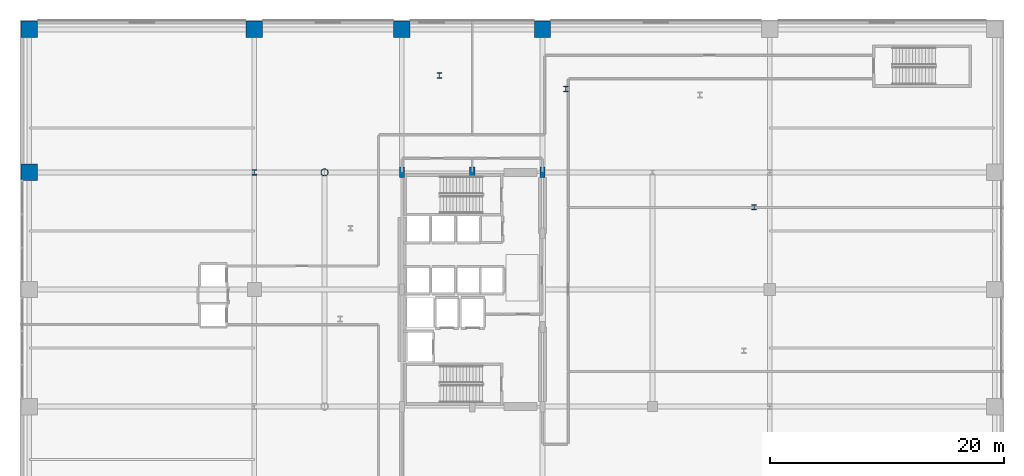
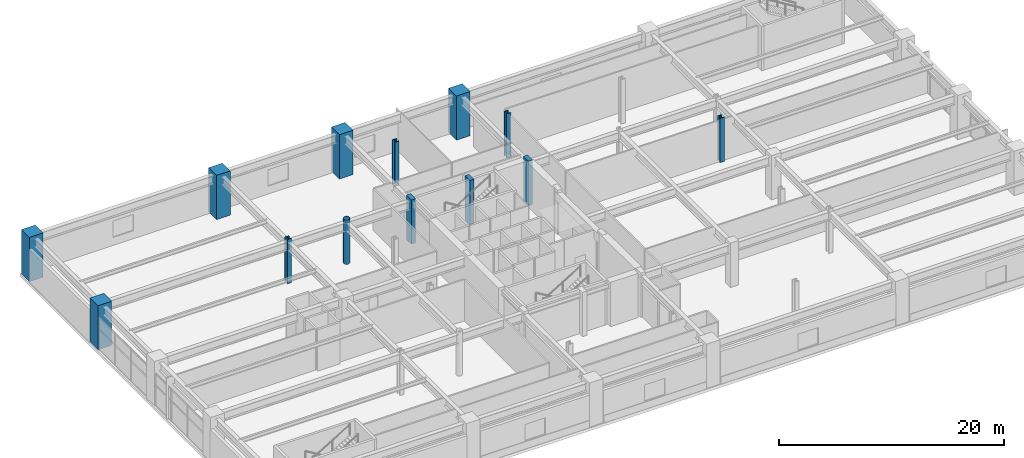
# One storey, part 2 of 28: 13 columns.
"""IFC4 building model written with IfcOpenShell, lengths in metres."""

from ifc_helpers import new_model, si_unit, direction, frame, origin, origin_2d, place, context, subcontext, project, spatial, rectangle, hollow_circle, i_section, extrude, material, material_profile, profile_set, type_object, element, save


model = new_model("IFC4")

# Units and contexts
model_context = context("Model", 3, precision=1e-05, world=origin(), true_north=direction((0.0, 1.0)))
body_context = subcontext(model_context, "Body", "Model", "MODEL_VIEW")
ifc_project = project(units=[si_unit("LENGTHUNIT", "METRE"), si_unit("AREAUNIT", "SQUARE_METRE"), si_unit("VOLUMEUNIT", "CUBIC_METRE"), si_unit("PLANEANGLEUNIT", "RADIAN"), si_unit("MASSUNIT", "GRAM", prefix="KILO")], contexts=[model_context])

# Site, building, storey
site_placement = place(None, origin())
site = spatial("IfcSite", under=ifc_project, at=site_placement, CompositionType="ELEMENT")
building_placement = place(site_placement, origin())
building = spatial("IfcBuilding", under=site, at=building_placement, Name="Soratama Intermodal Tower", CompositionType="ELEMENT")
storey_placement = place(building_placement, frame((0.0, 0.0, 11.39990234375)))
storey = spatial("IfcBuildingStorey", under=building, at=storey_placement, Name="L02", CompositionType="ELEMENT", Elevation=11.39990234375)

# Columns
ifc_material_1 = material(Name="Concrete f'c 56 MPa", Category="concrete")
ifc_material_profile_1 = material_profile(ifc_material_1, rectangle(XDim=1.39990234375, YDim=1.39990234375, at=origin_2d()), Name="RC1400X1400")
ifc_profile_set_1 = profile_set([ifc_material_profile_1], Name="Concrete f'c 56 MPa")
column_type_1 = type_object("IfcColumnType", Name="COL-POD-EXT-RC1400", PredefinedType="COLUMN", material=ifc_profile_set_1)
for number, where, z_axis, x_axis, name in (
    (1, (0.800048828125, 35.0, 0.0), (0.0, 0.0, 1.0), (1.0, 0.0, 0.0), "L02 Station Column P09"),
    (2, (0.800048828125, 47.199951171875, 0.0), (0.0, 0.0, 1.0), (1.0, 0.0, 0.0), "L02 Station Column P13"),
    (3, (20.0, 47.199951171875, 0.0), (0.0, 0.0, 1.0), (1.0, 0.0, 0.0), "L02 Station Column P14"),
    (4, (32.60009765625, 47.199951171875, 0.0), (0.0, 0.0, 1.0), (1.0, 0.0, 0.0), "L02 Station Column P23"),
    (5, (44.60009765625, 47.199951171875, 0.0), (0.0, 0.0, 1.0), (1.0, 0.0, 0.0), "L02 Station Column P24"),
):
    element("IfcColumn", number, at=place(storey_placement, frame(where, z_axis=z_axis, x_axis=x_axis)), inside=storey, type_object=column_type_1, Name=name, PredefinedType="COLUMN", context=body_context, shape_type="SweptSolid", body=[
        extrude(rectangle(XDim=1.39990234375, YDim=1.39990234375, at=origin_2d()), origin(), (0.0, 0.0, 1.0), 4.800048828125),
    ])
ifc_material_2 = material(Name="Structural steel ASTM A992 Grade 50", Category="steel")
ifc_material_profile_2 = material_profile(ifc_material_2, i_section(OverallWidth=0.431884765625, OverallDepth=0.498046875, WebThickness=0.0556640625, FlangeThickness=0.0888671875, FilletRadius=0.0380859375, at=origin_2d()), Name="W14X500")
ifc_profile_set_2 = profile_set([ifc_material_profile_2], Name="Structural steel ASTM A992 Grade 50")
column_type_2 = type_object("IfcColumnType", Name="COL-POD-W14X500", PredefinedType="COLUMN", material=ifc_profile_set_2)
for number, where, z_axis, x_axis, name in (
    (6, (20.0, 35.0, 0.0), (0.0, 0.0, 1.0), (1.0, 0.0, 0.0), "L02 Station Column P10"),
    (7, (62.6689453125, 32.02490234375, 0.0), (0.0, 0.0, 1.0), (1.0, 0.0, 0.0), "L02 Station Column P29"),
    (8, (46.60107421875, 42.116943359375, 0.0), (0.0, 0.0, 1.0), (1.0, 0.0, 0.0), "L02 Station Column P31"),
    (9, (35.7958984375, 43.264892578125, 0.0), (0.0, 0.0, 1.0), (1.0, 0.0, 0.0), "L02 Station Column P32"),
):
    element("IfcColumn", number, at=place(storey_placement, frame(where, z_axis=z_axis, x_axis=x_axis)), inside=storey, type_object=column_type_2, Name=name, PredefinedType="COLUMN", context=body_context, shape_type="SweptSolid", body=[
        extrude(i_section(OverallWidth=0.431884765625, OverallDepth=0.498046875, WebThickness=0.0556640625, FlangeThickness=0.0888671875, FilletRadius=0.0380859375, at=origin_2d()), origin(), (0.0, 0.0, 1.0), 4.800048828125),
    ])
ifc_material_3 = material(Name="Structural steel ASTM A500 Grade C", Category="steel")
ifc_material_profile_3 = material_profile(ifc_material_3, hollow_circle(Radius=0.304931640625, WallThickness=0.02197265625, at=origin_2d()), Name="CHS610X22")
ifc_profile_set_3 = profile_set([ifc_material_profile_3], Name="Structural steel ASTM A500 Grade C")
column_type_3 = type_object("IfcColumnType", Name="COL-POOL-CHS610", PredefinedType="COLUMN", material=ifc_profile_set_3)
column_placement = place(storey_placement, frame((26.0, 35.0, 0.0), z_axis=(0.0, 0.0, 1.0), x_axis=(1.0, 0.0, 0.0)))
element("IfcColumn", 10, at=column_placement, inside=storey, type_object=column_type_3, Name="L02 Station Column P28", PredefinedType="COLUMN", context=body_context, shape_type="SweptSolid", body=[
    extrude(hollow_circle(Radius=0.304931640625, WallThickness=0.02197265625, at=origin_2d()), origin(), (0.0, 0.0, 1.0), 4.800048828125),
])
ifc_material_4 = material(Name="Concrete f'c 56 MPa", Category="concrete")
ifc_material_profile_4 = material_profile(ifc_material_4, rectangle(XDim=0.449951171875, YDim=0.89990234375, at=origin_2d()), Name="RC450X900")
ifc_profile_set_4 = profile_set([ifc_material_profile_4], Name="Concrete f'c 56 MPa")
column_type_4 = type_object("IfcColumnType", Name="PIL-CORE-450X900", PredefinedType="PILASTER", material=ifc_profile_set_4)
for number, where, z_axis, x_axis, name in (
    (11, (32.60009765625, 35.0, 0.0), (0.0, 0.0, 1.0), (1.0, 0.0, 0.0), "L02 Core Pilaster 3"),
    (12, (38.60009765625, 35.0, 0.0), (0.0, 0.0, 1.0), (1.0, 0.0, 0.0), "L02 Core Pilaster 5"),
    (13, (44.60009765625, 35.0, 0.0), (0.0, 0.0, 1.0), (1.0, 0.0, 0.0), "L02 Core Pilaster 9"),
):
    element("IfcColumn", number, at=place(storey_placement, frame(where, z_axis=z_axis, x_axis=x_axis)), inside=storey, type_object=column_type_4, Name=name, PredefinedType="PILASTER", context=body_context, shape_type="SweptSolid", body=[
        extrude(rectangle(XDim=0.449951171875, YDim=0.89990234375, at=origin_2d()), origin(), (0.0, 0.0, 1.0), 4.800048828125),
    ])

save(model, "model.ifc")
